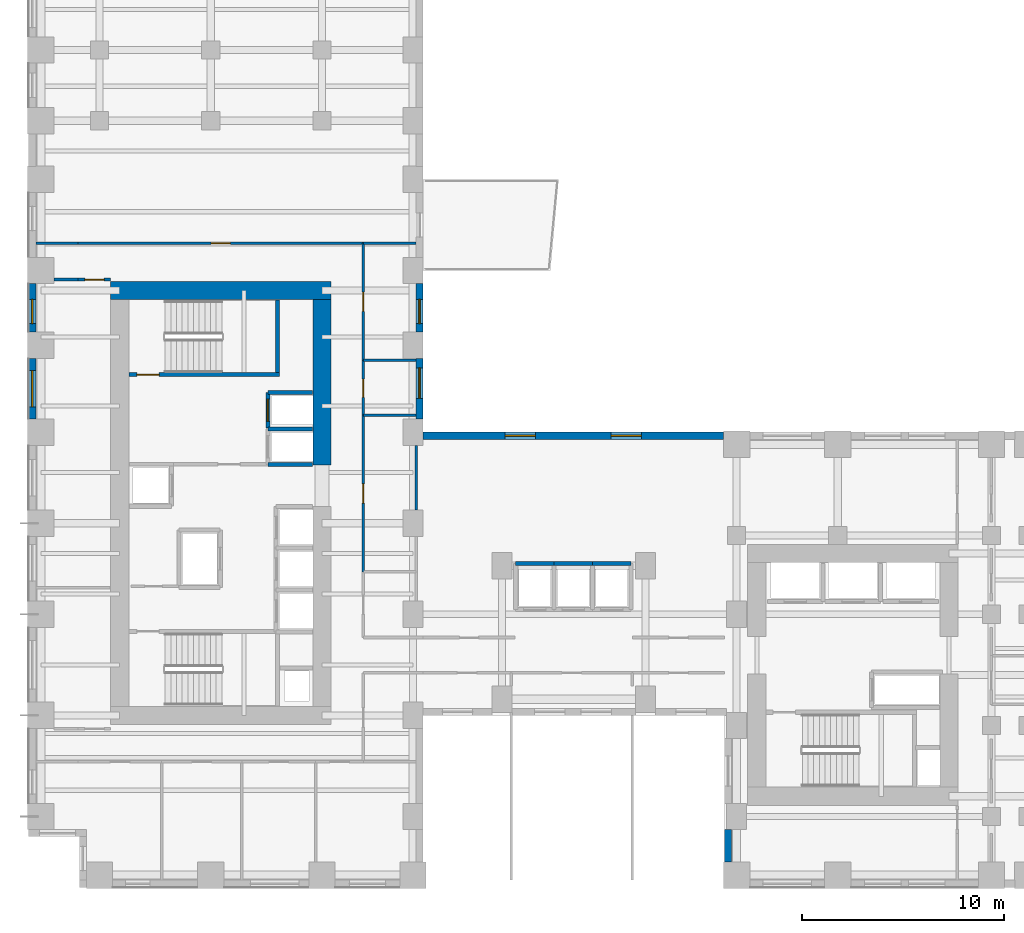
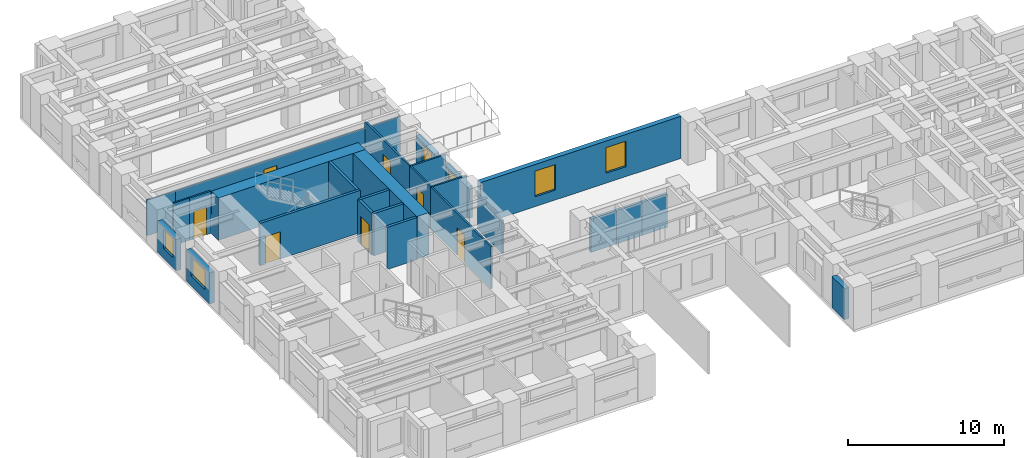
# One storey, part 6 of 11: 28 walls, 7 doors, 6 windows, 13 openings.
"""IFC4 building model written with IfcOpenShell, lengths in metres."""

from ifc_helpers import new_model, si_unit, direction, frame, frame_2d, origin, place, context, subcontext, project, spatial, rectangle, extrude, source, transform, mapped, material, layer, layer_set, type_object, element, fill, save


model = new_model("IFC4")

# Units and contexts
model_context = context("Model", 3, precision=1e-05, world=origin(), true_north=direction((0.0, 1.0)))
body_context = subcontext(model_context, "Body", "Model", "MODEL_VIEW")
ifc_project = project(units=[si_unit("LENGTHUNIT", "METRE"), si_unit("AREAUNIT", "SQUARE_METRE"), si_unit("VOLUMEUNIT", "CUBIC_METRE"), si_unit("PLANEANGLEUNIT", "RADIAN"), si_unit("MASSUNIT", "GRAM", prefix="KILO")], contexts=[model_context])

# Site, building, storey
site_placement = place(None, origin())
site = spatial("IfcSite", under=ifc_project, at=site_placement, CompositionType="ELEMENT")
building_placement = place(site_placement, origin())
building = spatial("IfcBuilding", under=site, at=building_placement, Name="Kharzan Plaza Tower", CompositionType="ELEMENT")
storey_placement = place(building_placement, frame((0.0, 0.0, 69.300048828125)))
storey = spatial("IfcBuildingStorey", under=building, at=storey_placement, Name="L18", CompositionType="ELEMENT", Elevation=69.300048828125)

# Wall, opening, window
ifc_material_1 = material(Name="Concrete C40/50", Category="concrete")
ifc_layer_1 = layer(ifc_material_1, 0.35009765625)
ifc_layer_set_1 = layer_set([ifc_layer_1], Name="Concrete C40/50")
wall_type_1 = type_object("IfcWallType", Name="WL-EXT-MAS-Z1", PredefinedType="SOLIDWALL", material=ifc_layer_set_1)
wall_1_placement = place(storey_placement, frame((0.175048828125, 29.85205078125, 0.0), z_axis=(0.0, 0.0, 1.0), x_axis=(0.0, -1.0, 0.0)))
wall_1 = element("IfcWall", 1, at=wall_1_placement, inside=storey, type_object=wall_type_1, Name="L18 Masonry-Frame Exterior Wall 14", PredefinedType="SOLIDWALL", context=body_context, shape_type="SweptSolid", body=[
    extrude(rectangle(XDim=2.404052734375, YDim=0.35009765625, at=frame_2d((1.2021484375, 0.0))), origin(), (0.0, 0.0, 1.0), 2.449951171875),
])
opening_1_placement = place(wall_1_placement, frame((0.786865234375, 0.0, 0.780029296875)))
opening_1 = element("IfcOpeningElement", 2, at=opening_1_placement, cuts=wall_1, Name="Opening W3", PredefinedType="OPENING", context=body_context, shape_type="SweptSolid", body=[
    extrude(rectangle(XDim=1.199951171875, YDim=1.489990234375, at=frame_2d((0.60009765625, 0.7451171875))), frame((0.0, 0.18505859375, 0.0), z_axis=(0.0, -1.0, 0.0), x_axis=(1.0, 0.0, 0.0)), (0.0, 0.0, 1.0), 0.3701171875),
])
ifc_material_2 = material(Name="Low-E Double Glazing", Category="glass")
window_type_1 = type_object("IfcWindowType", Name="WN-REC-1200x2100", PartitioningType="SINGLE_PANEL", PredefinedType="WINDOW", material=ifc_material_2)
shared_shape_1 = source(origin(), body_context, "Body", "SweptSolid", [
    extrude(rectangle(XDim=1.199951171875, YDim=1.489990234375, at=frame_2d((0.60009765625, 0.7451171875))), frame((0.0, 0.030029296875, 0.0), z_axis=(0.0, -1.0, 0.0), x_axis=(1.0, 0.0, 0.0)), (0.0, 0.0, 1.0), 0.06005859375),
])
window_1_placement = place(opening_1_placement, origin())
window_1 = element("IfcWindow", 3, at=window_1_placement, inside=storey, type_object=window_type_1, Name="L18 Recessed Solar-Control Window 14-1", OverallHeight=1.489990234375, OverallWidth=1.199951171875, PartitioningType="SINGLE_PANEL", PredefinedType="WINDOW", context=body_context, shape_type="MappedRepresentation", body=[
    mapped(shared_shape_1, transform((0.0, 0.0, 0.0), x_axis=(1.0, 0.0, 0.0), y_axis=(0.0, 1.0, 0.0), z_axis=(0.0, 0.0, 1.0))),
])
fill(opening_1, window_1)

wall_2_placement = place(storey_placement, frame((0.175048828125, 26.152099609375, 0.0), z_axis=(0.0, 0.0, 1.0), x_axis=(0.0, -1.0, 0.0)))
wall_2 = element("IfcWall", 4, at=wall_2_placement, inside=storey, type_object=wall_type_1, Name="L18 Masonry-Frame Exterior Wall 15", PredefinedType="SOLIDWALL", context=body_context, shape_type="SweptSolid", body=[
    extrude(rectangle(XDim=3.004150390625, YDim=0.35009765625, at=frame_2d((1.501953125, 0.0))), origin(), (0.0, 0.0, 1.0), 2.449951171875),
])
opening_2_placement = place(wall_2_placement, frame((0.60205078125, 0.0, 0.780029296875)))
opening_2 = element("IfcOpeningElement", 5, at=opening_2_placement, cuts=wall_2, Name="Opening W1", PredefinedType="OPENING", context=body_context, shape_type="SweptSolid", body=[
    extrude(rectangle(XDim=1.800048828125, YDim=1.489990234375, at=frame_2d((0.89990234375, 0.7451171875))), frame((0.0, 0.18505859375, 0.0), z_axis=(0.0, -1.0, 0.0), x_axis=(1.0, 0.0, 0.0)), (0.0, 0.0, 1.0), 0.3701171875),
])
window_type_2 = type_object("IfcWindowType", Name="WN-REC-1800x2100", PartitioningType="SINGLE_PANEL", PredefinedType="WINDOW", material=ifc_material_2)
shared_shape_2 = source(origin(), body_context, "Body", "SweptSolid", [
    extrude(rectangle(XDim=1.800048828125, YDim=1.489990234375, at=frame_2d((0.89990234375, 0.7451171875))), frame((0.0, 0.030029296875, 0.0), z_axis=(0.0, -1.0, 0.0), x_axis=(1.0, 0.0, 0.0)), (0.0, 0.0, 1.0), 0.06005859375),
])
window_2_placement = place(opening_2_placement, origin())
window_2 = element("IfcWindow", 6, at=window_2_placement, inside=storey, type_object=window_type_2, Name="L18 Recessed Solar-Control Window 15-1", OverallHeight=1.489990234375, OverallWidth=1.800048828125, PartitioningType="SINGLE_PANEL", PredefinedType="WINDOW", context=body_context, shape_type="MappedRepresentation", body=[
    mapped(shared_shape_2, transform((0.0, 0.0, 0.0), x_axis=(1.0, 0.0, 0.0), y_axis=(0.0, 1.0, 0.0), z_axis=(0.0, 0.0, 1.0))),
])
fill(opening_2, window_2)

# Wall, openings, windows
wall_3_placement = place(storey_placement, frame((34.35205078125, 22.324951171875, 0.0), z_axis=(0.0, 0.0, 1.0), x_axis=(-1.0, 0.0, 0.0)))
wall_3 = element("IfcWall", 7, at=wall_3_placement, inside=storey, type_object=wall_type_1, Name="L18 Masonry-Frame Exterior Wall 53", PredefinedType="SOLIDWALL", context=body_context, shape_type="SweptSolid", body=[
    extrude(rectangle(XDim=14.85400390625, YDim=0.35009765625, at=frame_2d((7.427001953125, 0.0))), origin(), (0.0, 0.0, 1.0), 3.304931640625),
])
opening_3_placement = place(wall_3_placement, frame((4.05810546875, 0.0, 0.780029296875)))
opening_3 = element("IfcOpeningElement", 8, at=opening_3_placement, cuts=wall_3, Name="Opening W5", PredefinedType="OPENING", context=body_context, shape_type="SweptSolid", body=[
    extrude(rectangle(XDim=1.5, YDim=2.0, at=frame_2d((0.75, 1.0))), frame((0.0, 0.18505859375, 0.0), z_axis=(0.0, -1.0, 0.0), x_axis=(1.0, 0.0, 0.0)), (0.0, 0.0, 1.0), 0.3701171875),
])
opening_4_placement = place(wall_3_placement, frame((9.2958984375, 0.0, 0.780029296875)))
opening_4 = element("IfcOpeningElement", 9, at=opening_4_placement, cuts=wall_3, Name="Opening W5", PredefinedType="OPENING", context=body_context, shape_type="SweptSolid", body=[
    extrude(rectangle(XDim=1.5, YDim=2.0, at=frame_2d((0.75, 1.0))), frame((0.0, 0.18505859375, 0.0), z_axis=(0.0, -1.0, 0.0), x_axis=(1.0, 0.0, 0.0)), (0.0, 0.0, 1.0), 0.3701171875),
])
window_type_3 = type_object("IfcWindowType", Name="WN-SLT-1500x2000", PartitioningType="SINGLE_PANEL", PredefinedType="WINDOW", material=ifc_material_2)
shared_shape_3 = source(origin(), body_context, "Body", "SweptSolid", [
    extrude(rectangle(XDim=1.5, YDim=2.0, at=frame_2d((0.75, 1.0))), frame((0.0, 0.030029296875, 0.0), z_axis=(0.0, -1.0, 0.0), x_axis=(1.0, 0.0, 0.0)), (0.0, 0.0, 1.0), 0.06005859375),
])
window_3_placement = place(opening_3_placement, origin())
window_3 = element("IfcWindow", 10, at=window_3_placement, inside=storey, type_object=window_type_3, Name="L18 Recessed Solar-Control Window 53-1", OverallHeight=2.0, OverallWidth=1.5, PartitioningType="SINGLE_PANEL", PredefinedType="WINDOW", context=body_context, shape_type="MappedRepresentation", body=[
    mapped(shared_shape_3, transform((0.0, 0.0, 0.0), x_axis=(1.0, 0.0, 0.0), y_axis=(0.0, 1.0, 0.0), z_axis=(0.0, 0.0, 1.0))),
])
fill(opening_3, window_3)
window_4_placement = place(opening_4_placement, origin())
window_4 = element("IfcWindow", 11, at=window_4_placement, inside=storey, type_object=window_type_3, Name="L18 Recessed Solar-Control Window 53-2", OverallHeight=2.0, OverallWidth=1.5, PartitioningType="SINGLE_PANEL", PredefinedType="WINDOW", context=body_context, shape_type="MappedRepresentation", body=[
    mapped(shared_shape_3, transform((0.0, 0.0, 0.0), x_axis=(1.0, 0.0, 0.0), y_axis=(0.0, 1.0, 0.0), z_axis=(0.0, 0.0, 1.0))),
])
fill(opening_4, window_4)

# Wall, opening, window
wall_4_placement = place(storey_placement, frame((19.324951171875, 23.14794921875, 0.0), z_axis=(0.0, 0.0, 1.0), x_axis=(0.0, 1.0, 0.0)))
wall_4 = element("IfcWall", 12, at=wall_4_placement, inside=storey, type_object=wall_type_1, Name="L18 Masonry-Frame Exterior Wall 54", PredefinedType="SOLIDWALL", context=body_context, shape_type="SweptSolid", body=[
    extrude(rectangle(XDim=3.004150390625, YDim=0.35009765625, at=frame_2d((1.501953125, 0.0))), origin(), (0.0, 0.0, 1.0), 2.449951171875),
])
opening_5_placement = place(wall_4_placement, frame((1.030517578125, 0.0, 0.780029296875)))
opening_5 = element("IfcOpeningElement", 13, at=opening_5_placement, cuts=wall_4, Name="Opening W5", PredefinedType="OPENING", context=body_context, shape_type="SweptSolid", body=[
    extrude(rectangle(XDim=1.5, YDim=1.489990234375, at=frame_2d((0.75, 0.7451171875))), frame((0.0, 0.18505859375, 0.0), z_axis=(0.0, -1.0, 0.0), x_axis=(1.0, 0.0, 0.0)), (0.0, 0.0, 1.0), 0.3701171875),
])
shared_shape_4 = source(origin(), body_context, "Body", "SweptSolid", [
    extrude(rectangle(XDim=1.5, YDim=1.489990234375, at=frame_2d((0.75, 0.7451171875))), frame((0.0, 0.030029296875, 0.0), z_axis=(0.0, -1.0, 0.0), x_axis=(1.0, 0.0, 0.0)), (0.0, 0.0, 1.0), 0.06005859375),
])
window_5_placement = place(opening_5_placement, origin())
window_5 = element("IfcWindow", 14, at=window_5_placement, inside=storey, type_object=window_type_3, Name="L18 Recessed Solar-Control Window 54-1", OverallHeight=1.489990234375, OverallWidth=1.5, PartitioningType="SINGLE_PANEL", PredefinedType="WINDOW", context=body_context, shape_type="MappedRepresentation", body=[
    mapped(shared_shape_4, transform((0.0, 0.0, 0.0), x_axis=(1.0, 0.0, 0.0), y_axis=(0.0, 1.0, 0.0), z_axis=(0.0, 0.0, 1.0))),
])
fill(opening_5, window_5)

wall_5_placement = place(storey_placement, frame((19.324951171875, 27.447998046875, 0.0), z_axis=(0.0, 0.0, 1.0), x_axis=(0.0, 1.0, 0.0)))
wall_5 = element("IfcWall", 15, at=wall_5_placement, inside=storey, type_object=wall_type_1, Name="L18 Masonry-Frame Exterior Wall 55", PredefinedType="SOLIDWALL", context=body_context, shape_type="SweptSolid", body=[
    extrude(rectangle(XDim=2.404052734375, YDim=0.35009765625, at=frame_2d((1.2021484375, 0.0))), origin(), (0.0, 0.0, 1.0), 2.449951171875),
])
opening_6_placement = place(wall_5_placement, frame((0.417236328125, 0.0, 0.780029296875)))
opening_6 = element("IfcOpeningElement", 16, at=opening_6_placement, cuts=wall_5, Name="Opening W3", PredefinedType="OPENING", context=body_context, shape_type="SweptSolid", body=[
    extrude(rectangle(XDim=1.199951171875, YDim=1.489990234375, at=frame_2d((0.60009765625, 0.7451171875))), frame((0.0, 0.18505859375, 0.0), z_axis=(0.0, -1.0, 0.0), x_axis=(1.0, 0.0, 0.0)), (0.0, 0.0, 1.0), 0.3701171875),
])
window_6_placement = place(opening_6_placement, origin())
window_6 = element("IfcWindow", 17, at=window_6_placement, inside=storey, type_object=window_type_1, Name="L18 Recessed Solar-Control Window 55-1", OverallHeight=1.489990234375, OverallWidth=1.199951171875, PartitioningType="SINGLE_PANEL", PredefinedType="WINDOW", context=body_context, shape_type="MappedRepresentation", body=[
    mapped(shared_shape_1, transform((0.0, 0.0, 0.0), x_axis=(1.0, 0.0, 0.0), y_axis=(0.0, 1.0, 0.0), z_axis=(0.0, 0.0, 1.0))),
])
fill(opening_6, window_6)

# Wall, opening, door
ifc_material_3 = material(Name="Fire-Rated Gypsum Board Partition", Category="gypsum")
ifc_layer_2 = layer(ifc_material_3, 0.125)
ifc_layer_set_2 = layer_set([ifc_layer_2], Name="Fire-Rated Gypsum Board Partition")
wall_type_2 = type_object("IfcWallType", Name="WL-INT-PART-125", PredefinedType="PARTITIONING", material=ifc_layer_set_2)
wall_6_placement = place(storey_placement, frame((16.550048828125, 15.60009765625, 0.0), z_axis=(0.0, 0.0, 1.0), x_axis=(0.0, 1.0, 0.0)))
wall_6 = element("IfcWall", 18, at=wall_6_placement, inside=storey, type_object=wall_type_2, Name="L18 Interior Partition SH-AEWN2", PredefinedType="PARTITIONING", context=body_context, shape_type="SweptSolid", body=[
    extrude(rectangle(XDim=7.75, YDim=0.125, at=frame_2d((3.875, 0.0))), origin(), (0.0, 0.0, 1.0), 3.304931640625),
])
opening_7_placement = place(wall_6_placement, frame((3.39990234375, 0.0, 0.0)))
opening_7 = element("IfcOpeningElement", 19, at=opening_7_placement, cuts=wall_6, Name="Opening OD1", PredefinedType="OPENING", context=body_context, shape_type="SweptSolid", body=[
    extrude(rectangle(XDim=0.949951171875, YDim=2.14990234375, at=frame_2d((0.47509765625, 1.074951171875))), frame((0.0, 0.072509765625, 0.0), z_axis=(0.0, -1.0, 0.0), x_axis=(1.0, 0.0, 0.0)), (0.0, 0.0, 1.0), 0.14501953125),
])
ifc_material_4 = material(Name="Acoustic Solid-Core Stained Oak", Category="timber")
door_type_1 = type_object("IfcDoorType", Name="DR-OFF-SINGLE", OperationType="NOTDEFINED", PredefinedType="DOOR", material=ifc_material_4)
shared_shape_5 = source(origin(), body_context, "Body", "SweptSolid", [
    extrude(rectangle(XDim=0.949951171875, YDim=2.14990234375, at=frame_2d((0.47509765625, 1.074951171875))), frame((0.0, 0.02490234375, 0.0), z_axis=(0.0, -1.0, 0.0), x_axis=(1.0, 0.0, 0.0)), (0.0, 0.0, 1.0), 0.050048828125),
])
door_1_placement = place(opening_7_placement, origin())
door_1 = element("IfcDoor", 20, at=door_1_placement, inside=storey, type_object=door_type_1, Name="L18 Slot Studio Door", OperationType="SINGLE_SWING_LEFT", OverallHeight=2.14990234375, OverallWidth=0.949951171875, PredefinedType="DOOR", context=body_context, shape_type="MappedRepresentation", body=[
    mapped(shared_shape_5, transform((0.0, 0.0, 0.0), x_axis=(1.0, 0.0, 0.0), y_axis=(0.0, 1.0, 0.0), z_axis=(0.0, 0.0, 1.0))),
])
fill(opening_7, door_1)

wall_7_placement = place(storey_placement, frame((16.550048828125, 26.050048828125, 0.0), z_axis=(0.0, 0.0, 1.0), x_axis=(0.0, 1.0, 0.0)))
wall_7 = element("IfcWall", 21, at=wall_7_placement, inside=storey, type_object=wall_type_2, Name="L18 Interior Partition SH-AEWN3", PredefinedType="PARTITIONING", context=body_context, shape_type="SweptSolid", body=[
    extrude(rectangle(XDim=5.800048828125, YDim=0.125, at=frame_2d((2.89990234375, 0.0))), origin(), (0.0, 0.0, 1.0), 3.304931640625),
])
opening_8_placement = place(wall_7_placement, frame((2.425048828125, 0.0, 0.0)))
opening_8 = element("IfcOpeningElement", 22, at=opening_8_placement, cuts=wall_7, Name="Opening OD1", PredefinedType="OPENING", context=body_context, shape_type="SweptSolid", body=[
    extrude(rectangle(XDim=0.949951171875, YDim=2.14990234375, at=frame_2d((0.47509765625, 1.074951171875))), frame((0.0, 0.072509765625, 0.0), z_axis=(0.0, -1.0, 0.0), x_axis=(1.0, 0.0, 0.0)), (0.0, 0.0, 1.0), 0.14501953125),
])
door_2_placement = place(opening_8_placement, origin())
door_2 = element("IfcDoor", 23, at=door_2_placement, inside=storey, type_object=door_type_1, Name="L18 Staff Tea Point Door", OperationType="SINGLE_SWING_LEFT", OverallHeight=2.14990234375, OverallWidth=0.949951171875, PredefinedType="DOOR", context=body_context, shape_type="MappedRepresentation", body=[
    mapped(shared_shape_5, transform((0.0, 0.0, 0.0), x_axis=(1.0, 0.0, 0.0), y_axis=(0.0, 1.0, 0.0), z_axis=(0.0, 0.0, 1.0))),
])
fill(opening_8, door_2)

wall_8_placement = place(storey_placement, frame((16.550048828125, 23.35009765625, 0.0), z_axis=(0.0, 0.0, 1.0), x_axis=(0.0, 1.0, 0.0)))
wall_8 = element("IfcWall", 24, at=wall_8_placement, inside=storey, type_object=wall_type_2, Name="L18 Interior Partition SH-AEWW", PredefinedType="PARTITIONING", context=body_context, shape_type="SweptSolid", body=[
    extrude(rectangle(XDim=2.699951171875, YDim=0.125, at=frame_2d((1.35009765625, 0.0))), origin(), (0.0, 0.0, 1.0), 3.304931640625),
])
opening_9_placement = place(wall_8_placement, frame((0.875, 0.0, 0.0)))
opening_9 = element("IfcOpeningElement", 25, at=opening_9_placement, cuts=wall_8, Name="Opening WD1", PredefinedType="OPENING", context=body_context, shape_type="SweptSolid", body=[
    extrude(rectangle(XDim=0.89990234375, YDim=2.14990234375, at=frame_2d((0.449951171875, 1.074951171875))), frame((0.0, 0.072509765625, 0.0), z_axis=(0.0, -1.0, 0.0), x_axis=(1.0, 0.0, 0.0)), (0.0, 0.0, 1.0), 0.14501953125),
])
ifc_material_5 = material(Name="Moisture-Resistant Fire-Rated Laminate", Category="timber")
door_type_2 = type_object("IfcDoorType", Name="DR-WC-900", OperationType="NOTDEFINED", PredefinedType="DOOR", material=ifc_material_5)
shared_shape_6 = source(origin(), body_context, "Body", "SweptSolid", [
    extrude(rectangle(XDim=0.89990234375, YDim=2.14990234375, at=frame_2d((0.449951171875, 1.074951171875))), frame((0.0, 0.02490234375, 0.0), z_axis=(0.0, -1.0, 0.0), x_axis=(1.0, 0.0, 0.0)), (0.0, 0.0, 1.0), 0.050048828125),
])
door_3_placement = place(opening_9_placement, origin())
door_3 = element("IfcDoor", 26, at=door_3_placement, inside=storey, type_object=door_type_2, Name="L18 Wing A Washroom Door", OperationType="SINGLE_SWING_RIGHT", OverallHeight=2.14990234375, OverallWidth=0.89990234375, PredefinedType="DOOR", context=body_context, shape_type="MappedRepresentation", body=[
    mapped(shared_shape_6, transform((0.0, 0.0, 0.0), x_axis=(1.0, 0.0, 0.0), y_axis=(0.0, 1.0, 0.0), z_axis=(0.0, 0.0, 1.0))),
])
fill(opening_9, door_3)

wall_9_placement = place(storey_placement, frame((2.449951171875, 31.85009765625, 0.0), z_axis=(0.0, 0.0, 1.0), x_axis=(1.0, 0.0, 0.0)))
wall_9 = element("IfcWall", 27, at=wall_9_placement, inside=storey, type_object=wall_type_2, Name="L18 Interior Partition SH-NN-1", PredefinedType="PARTITIONING", context=body_context, shape_type="SweptSolid", body=[
    extrude(rectangle(XDim=14.10009765625, YDim=0.125, at=frame_2d((7.050048828125, 0.0))), origin(), (0.0, 0.0, 1.0), 2.76806640625),
])
opening_10_placement = place(wall_9_placement, frame((6.574951171875, 0.0, 0.0)))
opening_10 = element("IfcOpeningElement", 28, at=opening_10_placement, cuts=wall_9, Name="Opening OD1", PredefinedType="OPENING", context=body_context, shape_type="SweptSolid", body=[
    extrude(rectangle(XDim=0.949951171875, YDim=2.14990234375, at=frame_2d((0.47509765625, 1.074951171875))), frame((0.0, 0.072509765625, 0.0), z_axis=(0.0, -1.0, 0.0), x_axis=(1.0, 0.0, 0.0)), (0.0, 0.0, 1.0), 0.14501953125),
])
door_4_placement = place(opening_10_placement, origin())
door_4 = element("IfcDoor", 29, at=door_4_placement, inside=storey, type_object=door_type_1, Name="L18 Executive Boardroom Door", OperationType="SINGLE_SWING_RIGHT", OverallHeight=2.14990234375, OverallWidth=0.949951171875, PredefinedType="DOOR", context=body_context, shape_type="MappedRepresentation", body=[
    mapped(shared_shape_5, transform((0.0, 0.0, 0.0), x_axis=(1.0, 0.0, 0.0), y_axis=(0.0, 1.0, 0.0), z_axis=(0.0, 0.0, 1.0))),
])
fill(opening_10, door_4)

wall_10_placement = place(storey_placement, frame((2.449951171875, 30.050048828125, 0.0), z_axis=(0.0, 0.0, 1.0), x_axis=(1.0, 0.0, 0.0)))
wall_10 = element("IfcWall", 30, at=wall_10_placement, inside=storey, type_object=wall_type_2, Name="L18 Interior Partition SH-RWND", PredefinedType="PARTITIONING", context=body_context, shape_type="SweptSolid", body=[
    extrude(rectangle(XDim=1.60009765625, YDim=0.125, at=frame_2d((0.800048828125, 0.0))), origin(), (0.0, 0.0, 1.0), 3.304931640625),
])
opening_11_placement = place(wall_10_placement, frame((0.324951171875, 0.0, 0.0)))
opening_11 = element("IfcOpeningElement", 31, at=opening_11_placement, cuts=wall_10, Name="Opening OD1", PredefinedType="OPENING", context=body_context, shape_type="SweptSolid", body=[
    extrude(rectangle(XDim=0.949951171875, YDim=2.14990234375, at=frame_2d((0.47509765625, 1.074951171875))), frame((0.0, 0.072509765625, 0.0), z_axis=(0.0, -1.0, 0.0), x_axis=(1.0, 0.0, 0.0)), (0.0, 0.0, 1.0), 0.14501953125),
])
door_5_placement = place(opening_11_placement, origin())
door_5 = element("IfcDoor", 32, at=door_5_placement, inside=storey, type_object=door_type_1, Name="L18 West Office 2 Door", OperationType="SINGLE_SWING_LEFT", OverallHeight=2.14990234375, OverallWidth=0.949951171875, PredefinedType="DOOR", context=body_context, shape_type="MappedRepresentation", body=[
    mapped(shared_shape_5, transform((0.0, 0.0, 0.0), x_axis=(1.0, 0.0, 0.0), y_axis=(0.0, 1.0, 0.0), z_axis=(0.0, 0.0, 1.0))),
])
fill(opening_11, door_5)

ifc_layer_3 = layer(ifc_material_1, 0.199951171875)
ifc_layer_set_3 = layer_set([ifc_layer_3], Name="Concrete C40/50")
wall_type_3 = type_object("IfcWallType", Name="WL-INT-SHAFT-200", PredefinedType="PARTITIONING", material=ifc_layer_set_3)
wall_11_placement = place(storey_placement, frame((11.830078125, 22.699951171875, 0.0), z_axis=(0.0, 0.0, 1.0), x_axis=(0.0, 1.0, 0.0)))
wall_11 = element("IfcWall", 33, at=wall_11_placement, inside=storey, type_object=wall_type_3, Name="L18 Interior Partition SHF-FFL-2-W", PredefinedType="PARTITIONING", context=body_context, shape_type="SweptSolid", body=[
    extrude(rectangle(XDim=1.760009765625, YDim=0.199951171875, at=frame_2d((0.8798828125, 0.0))), origin(), (0.0, 0.0, 1.0), 3.304931640625),
])
opening_12_placement = place(wall_11_placement, frame((0.330078125, 0.0, 0.0)))
opening_12 = element("IfcOpeningElement", 34, at=opening_12_placement, cuts=wall_11, Name="Opening LD", PredefinedType="OPENING", context=body_context, shape_type="SweptSolid", body=[
    extrude(rectangle(XDim=1.10009765625, YDim=2.199951171875, at=frame_2d((0.550048828125, 1.10009765625))), frame((0.0, 0.10986328125, 0.0), z_axis=(0.0, -1.0, 0.0), x_axis=(1.0, 0.0, 0.0)), (0.0, 0.0, 1.0), 0.219970703125),
])
ifc_material_6 = material(Name="Brushed Stainless Steel", Category="steel")
door_type_3 = type_object("IfcDoorType", Name="DR-LIFT-SLIDE", OperationType="SLIDING_TO_LEFT", PredefinedType="DOOR", material=ifc_material_6)
shared_shape_7 = source(origin(), body_context, "Body", "SweptSolid", [
    extrude(rectangle(XDim=1.10009765625, YDim=2.199951171875, at=frame_2d((0.550048828125, 1.10009765625))), frame((0.0, 0.02490234375, 0.0), z_axis=(0.0, -1.0, 0.0), x_axis=(1.0, 0.0, 0.0)), (0.0, 0.0, 1.0), 0.050048828125),
])
door_6_placement = place(opening_12_placement, origin())
door_6 = element("IfcDoor", 35, at=door_6_placement, inside=storey, type_object=door_type_3, Name="L18 Firefighting Lift FFL-2 Sliding Landing Door", OperationType="SLIDING_TO_LEFT", OverallHeight=2.199951171875, OverallWidth=1.10009765625, PredefinedType="DOOR", context=body_context, shape_type="MappedRepresentation", body=[
    mapped(shared_shape_7, transform((0.0, 0.0, 0.0), x_axis=(1.0, 0.0, 0.0), y_axis=(0.0, 1.0, 0.0), z_axis=(0.0, 0.0, 1.0))),
])
fill(opening_12, door_6)

ifc_material_7 = material(Name="Concrete C50/60", Category="concrete")
ifc_layer_4 = layer(ifc_material_7, 0.199951171875)
ifc_layer_set_4 = layer_set([ifc_layer_4], Name="Concrete C50/60")
wall_type_4 = type_object("IfcWallType", Name="WL-SHAFT-RC200", PredefinedType="SHEAR", material=ifc_layer_set_4)
wall_12_placement = place(storey_placement, frame((4.951904296875, 25.344970703125, 0.0), z_axis=(0.0, 0.0, 1.0), x_axis=(1.0, 0.0, 0.0)))
wall_12 = element("IfcWall", 36, at=wall_12_placement, inside=storey, type_object=wall_type_4, Name="L18 Stair ST-2 South RC Shaft Wall", PredefinedType="SHEAR", context=body_context, shape_type="SweptSolid", body=[
    extrude(rectangle(XDim=7.453125, YDim=0.199951171875, at=frame_2d((3.7265625, 0.0))), origin(), (0.0, 0.0, 1.0), 3.320068359375),
])
opening_13_placement = place(wall_12_placement, frame((0.39990234375, 0.0, 0.0)))
opening_13 = element("IfcOpeningElement", 37, at=opening_13_placement, cuts=wall_12, Name="Opening SD1", PredefinedType="OPENING", context=body_context, shape_type="SweptSolid", body=[
    extrude(rectangle(XDim=1.10009765625, YDim=2.14990234375, at=frame_2d((0.550048828125, 1.074951171875))), frame((0.0, 0.10986328125, 0.0), z_axis=(0.0, -1.0, 0.0), x_axis=(1.0, 0.0, 0.0)), (0.0, 0.0, 1.0), 0.219970703125),
])
ifc_material_8 = material(Name="Fire-Rated Hollow Galvanized Steel", Category="steel")
door_type_4 = type_object("IfcDoorType", Name="DR-STAIR-FD120", OperationType="NOTDEFINED", PredefinedType="DOOR", material=ifc_material_8)
shared_shape_8 = source(origin(), body_context, "Body", "SweptSolid", [
    extrude(rectangle(XDim=1.10009765625, YDim=2.14990234375, at=frame_2d((0.550048828125, 1.074951171875))), frame((0.0, 0.02490234375, 0.0), z_axis=(0.0, -1.0, 0.0), x_axis=(1.0, 0.0, 0.0)), (0.0, 0.0, 1.0), 0.050048828125),
])
door_7_placement = place(opening_13_placement, origin())
door_7 = element("IfcDoor", 38, at=door_7_placement, inside=storey, type_object=door_type_4, Name="L18 Stair ST-2 Fire Exit Door", OperationType="SINGLE_SWING_RIGHT", OverallHeight=2.14990234375, OverallWidth=1.10009765625, PredefinedType="DOOR", context=body_context, shape_type="MappedRepresentation", body=[
    mapped(shared_shape_8, transform((0.0, 0.0, 0.0), x_axis=(1.0, 0.0, 0.0), y_axis=(0.0, 1.0, 0.0), z_axis=(0.0, 0.0, 1.0))),
])
fill(opening_13, door_7)

# Walls
ifc_material_9 = material(Name="Concrete C60/75", Category="concrete")
ifc_layer_5 = layer(ifc_material_9, 0.89990234375)
ifc_layer_set_5 = layer_set([ifc_layer_5], Name="Concrete C60/75")
wall_type_5 = type_object("IfcWallType", Name="WL-CORE-900", PredefinedType="SHEAR", material=ifc_layer_set_5)
shared_shape_9 = source(origin(), body_context, "Body", "SweptSolid", [
    extrude(rectangle(XDim=8.170166015625, YDim=0.89990234375, at=frame_2d((4.0849609375, 0.0))), origin(), (0.0, 0.0, 1.0), 3.320068359375),
])
wall_13_placement = place(storey_placement, frame((14.5, 20.8798828125, 0.0), z_axis=(0.0, 0.0, 1.0), x_axis=(0.0, 1.0, 0.0)))
element("IfcWall", 39, at=wall_13_placement, inside=storey, type_object=wall_type_5, Name="L18 CORE-A east shear pier 2", PredefinedType="SHEAR", context=body_context, shape_type="MappedRepresentation", body=[
    mapped(shared_shape_9, transform((0.0, 0.0, 0.0), x_axis=(1.0, 0.0, 0.0), y_axis=(0.0, 1.0, 0.0), z_axis=(0.0, 0.0, 1.0))),
])
shared_shape_10 = source(origin(), body_context, "Body", "SweptSolid", [
    extrude(rectangle(XDim=10.89990234375, YDim=0.89990234375, at=frame_2d((5.449951171875, 0.0))), origin(), (0.0, 0.0, 1.0), 3.320068359375),
])
wall_14_placement = place(storey_placement, frame((4.050048828125, 29.5, 0.0), z_axis=(0.0, 0.0, 1.0), x_axis=(1.0, 0.0, 0.0)))
element("IfcWall", 40, at=wall_14_placement, inside=storey, type_object=wall_type_5, Name="L18 CORE-A north RC shear wall", PredefinedType="SHEAR", context=body_context, shape_type="MappedRepresentation", body=[
    mapped(shared_shape_10, transform((0.0, 0.0, 0.0), x_axis=(1.0, 0.0, 0.0), y_axis=(0.0, 1.0, 0.0), z_axis=(0.0, 0.0, 1.0))),
])
shared_shape_11 = source(origin(), body_context, "Body", "SweptSolid", [
    extrude(rectangle(XDim=1.60400390625, YDim=0.35009765625, at=frame_2d((0.802001953125, 0.0))), origin(), (0.0, 0.0, 1.0), 2.449951171875),
])
wall_15_placement = place(storey_placement, frame((34.574951171875, 2.85205078125, 0.0), z_axis=(0.0, 0.0, 1.0), x_axis=(0.0, -1.0, 0.0)))
element("IfcWall", 41, at=wall_15_placement, inside=storey, type_object=wall_type_1, Name="L18 Masonry-Frame Exterior Wall 32", PredefinedType="SOLIDWALL", context=body_context, shape_type="MappedRepresentation", body=[
    mapped(shared_shape_11, transform((0.0, 0.0, 0.0), x_axis=(1.0, 0.0, 0.0), y_axis=(0.0, 1.0, 0.0), z_axis=(0.0, 0.0, 1.0))),
])
shared_shape_12 = source(origin(), body_context, "Body", "SweptSolid", [
    extrude(rectangle(XDim=2.597900390625, YDim=0.125, at=frame_2d((1.298828125, 0.0))), origin(), (0.0, 0.0, 1.0), 3.304931640625),
])
for number, where, z_axis, x_axis, name in (
    (42, (16.550048828125, 23.35009765625, 0.0), (0.0, 0.0, 1.0), (1.0, 0.0, 0.0), "L18 Interior Partition SH-AEH-233"),
    (43, (16.550048828125, 26.050048828125, 0.0), (0.0, 0.0, 1.0), (1.0, 0.0, 0.0), "L18 Interior Partition SH-AEH-260"),
):
    element("IfcWall", number, at=place(storey_placement, frame(where, z_axis=z_axis, x_axis=x_axis)), inside=storey, type_object=wall_type_2, Name=name, PredefinedType="PARTITIONING", context=body_context, shape_type="MappedRepresentation", body=[
        mapped(shared_shape_12, transform((0.0, 0.0, 0.0), x_axis=(1.0, 0.0, 0.0), y_axis=(0.0, 1.0, 0.0), z_axis=(0.0, 0.0, 1.0))),
    ])
shared_shape_13 = source(origin(), body_context, "Body", "SweptSolid", [
    extrude(rectangle(XDim=3.18017578125, YDim=0.125, at=frame_2d((1.590087890625, 0.0))), origin(), (0.0, 0.0, 1.0), 2.60986328125),
])
wall_16_placement = place(storey_placement, frame((19.14990234375, 18.659912109375, 0.0), z_axis=(0.0, 0.0, 1.0), x_axis=(0.0, 1.0, 0.0)))
element("IfcWall", 44, at=wall_16_placement, inside=storey, type_object=wall_type_2, Name="L18 Interior Partition SH-AEN-DIV-S2", PredefinedType="PARTITIONING", context=body_context, shape_type="MappedRepresentation", body=[
    mapped(shared_shape_13, transform((0.0, 0.0, 0.0), x_axis=(1.0, 0.0, 0.0), y_axis=(0.0, 1.0, 0.0), z_axis=(0.0, 0.0, 1.0))),
])
shared_shape_14 = source(origin(), body_context, "Body", "SweptSolid", [
    extrude(rectangle(XDim=2.597900390625, YDim=0.125, at=frame_2d((1.298828125, 0.0))), origin(), (0.0, 0.0, 1.0), 2.76806640625),
])
wall_17_placement = place(storey_placement, frame((16.550048828125, 31.85009765625, 0.0), z_axis=(0.0, 0.0, 1.0), x_axis=(1.0, 0.0, 0.0)))
element("IfcWall", 45, at=wall_17_placement, inside=storey, type_object=wall_type_2, Name="L18 Interior Partition SH-NNE0", PredefinedType="PARTITIONING", context=body_context, shape_type="MappedRepresentation", body=[
    mapped(shared_shape_14, transform((0.0, 0.0, 0.0), x_axis=(1.0, 0.0, 0.0), y_axis=(0.0, 1.0, 0.0), z_axis=(0.0, 0.0, 1.0))),
])
shared_shape_15 = source(origin(), body_context, "Body", "SweptSolid", [
    extrude(rectangle(XDim=2.097900390625, YDim=0.125, at=frame_2d((1.048828125, 0.0))), origin(), (0.0, 0.0, 1.0), 2.76806640625),
])
wall_18_placement = place(storey_placement, frame((0.35205078125, 31.85009765625, 0.0), z_axis=(0.0, 0.0, 1.0), x_axis=(1.0, 0.0, 0.0)))
element("IfcWall", 46, at=wall_18_placement, inside=storey, type_object=wall_type_2, Name="L18 Interior Partition SH-NNW0", PredefinedType="PARTITIONING", context=body_context, shape_type="MappedRepresentation", body=[
    mapped(shared_shape_15, transform((0.0, 0.0, 0.0), x_axis=(1.0, 0.0, 0.0), y_axis=(0.0, 1.0, 0.0), z_axis=(0.0, 0.0, 1.0))),
])
shared_shape_16 = source(origin(), body_context, "Body", "SweptSolid", [
    extrude(rectangle(XDim=1.18994140625, YDim=0.125, at=frame_2d((0.594970703125, 0.0))), origin(), (0.0, 0.0, 1.0), 3.304931640625),
])
wall_19_placement = place(storey_placement, frame((1.260009765625, 30.050048828125, 0.0), z_axis=(0.0, 0.0, 1.0), x_axis=(1.0, 0.0, 0.0)))
element("IfcWall", 47, at=wall_19_placement, inside=storey, type_object=wall_type_2, Name="L18 Interior Partition SH-RWN0", PredefinedType="PARTITIONING", context=body_context, shape_type="MappedRepresentation", body=[
    mapped(shared_shape_16, transform((0.0, 0.0, 0.0), x_axis=(1.0, 0.0, 0.0), y_axis=(0.0, 1.0, 0.0), z_axis=(0.0, 0.0, 1.0))),
])
shared_shape_17 = source(origin(), body_context, "Body", "SweptSolid", [
    extrude(rectangle(XDim=2.18994140625, YDim=0.199951171875, at=frame_2d((1.094970703125, 0.0))), origin(), (0.0, 0.0, 1.0), 3.304931640625),
])
for number, where, z_axis, x_axis, name in (
    (48, (11.830078125, 22.659912109375, 0.0), (0.0, 0.0, 1.0), (1.0, 0.0, 0.0), "L18 Interior Partition SHF-FFL-1-N"),
    (49, (11.830078125, 20.89990234375, 0.0), (0.0, 0.0, 1.0), (1.0, 0.0, 0.0), "L18 Interior Partition SHF-FFL-1-S"),
    (50, (11.830078125, 24.4599609375, 0.0), (0.0, 0.0, 1.0), (1.0, 0.0, 0.0), "L18 Interior Partition SHF-FFL-2-N"),
):
    element("IfcWall", number, at=place(storey_placement, frame(where, z_axis=z_axis, x_axis=x_axis)), inside=storey, type_object=wall_type_3, Name=name, PredefinedType="PARTITIONING", context=body_context, shape_type="MappedRepresentation", body=[
        mapped(shared_shape_17, transform((0.0, 0.0, 0.0), x_axis=(1.0, 0.0, 0.0), y_axis=(0.0, 1.0, 0.0), z_axis=(0.0, 0.0, 1.0))),
    ])
shared_shape_18 = source(origin(), body_context, "Body", "SweptSolid", [
    extrude(rectangle(XDim=1.889892578125, YDim=0.199951171875, at=frame_2d((0.94482421875, 0.0))), origin(), (0.0, 0.0, 1.0), 2.60986328125),
])
wall_20_placement = place(storey_placement, frame((24.080078125, 16.02001953125, 0.0), z_axis=(0.0, 0.0, 1.0), x_axis=(1.0, 0.0, 0.0)))
element("IfcWall", 51, at=wall_20_placement, inside=storey, type_object=wall_type_3, Name="L18 Interior Partition SHF-PL-M1-N", PredefinedType="PARTITIONING", context=body_context, shape_type="MappedRepresentation", body=[
    mapped(shared_shape_18, transform((0.0, 0.0, 0.0), x_axis=(1.0, 0.0, 0.0), y_axis=(0.0, 1.0, 0.0), z_axis=(0.0, 0.0, 1.0))),
])
shared_shape_19 = source(origin(), body_context, "Body", "SweptSolid", [
    extrude(rectangle(XDim=1.89013671875, YDim=0.199951171875, at=frame_2d((0.945068359375, 0.0))), origin(), (0.0, 0.0, 1.0), 2.60986328125),
])
for number, where, z_axis, x_axis, name in (
    (52, (25.97998046875, 16.02001953125, 0.0), (0.0, 0.0, 1.0), (1.0, 0.0, 0.0), "L18 Interior Partition SHF-PL-M2-N"),
    (53, (27.8798828125, 16.02001953125, 0.0), (0.0, 0.0, 1.0), (1.0, 0.0, 0.0), "L18 Interior Partition SHF-PL-M3-N"),
):
    element("IfcWall", number, at=place(storey_placement, frame(where, z_axis=z_axis, x_axis=x_axis)), inside=storey, type_object=wall_type_3, Name=name, PredefinedType="PARTITIONING", context=body_context, shape_type="MappedRepresentation", body=[
        mapped(shared_shape_19, transform((0.0, 0.0, 0.0), x_axis=(1.0, 0.0, 0.0), y_axis=(0.0, 1.0, 0.0), z_axis=(0.0, 0.0, 1.0))),
    ])
shared_shape_20 = source(origin(), body_context, "Body", "SweptSolid", [
    extrude(rectangle(XDim=3.60302734375, YDim=0.199951171875, at=frame_2d((1.801513671875, 0.0))), origin(), (0.0, 0.0, 1.0), 3.320068359375),
])
wall_21_placement = place(storey_placement, frame((12.304931640625, 25.445068359375, 0.0), z_axis=(0.0, 0.0, 1.0), x_axis=(0.0, 1.0, 0.0)))
element("IfcWall", 54, at=wall_21_placement, inside=storey, type_object=wall_type_4, Name="L18 Stair ST-2 East RC Shaft Wall", PredefinedType="SHEAR", context=body_context, shape_type="MappedRepresentation", body=[
    mapped(shared_shape_20, transform((0.0, 0.0, 0.0), x_axis=(1.0, 0.0, 0.0), y_axis=(0.0, 1.0, 0.0), z_axis=(0.0, 0.0, 1.0))),
])

save(model, "model.ifc")
